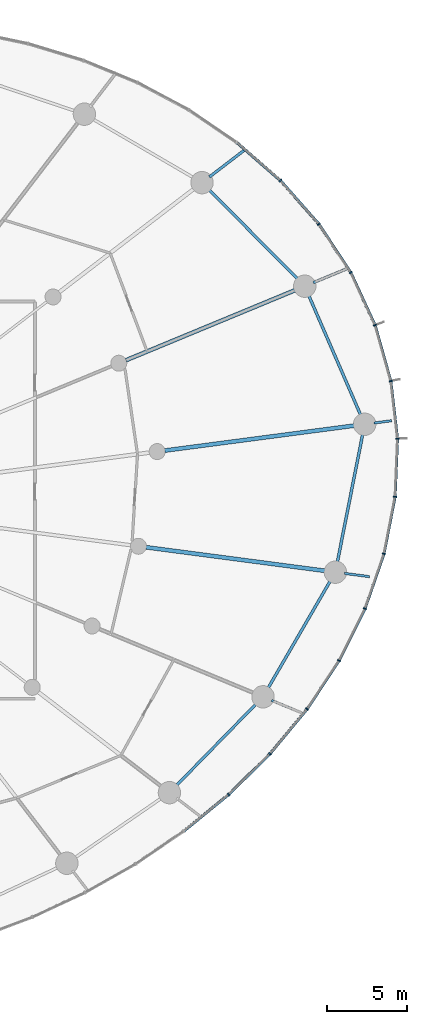
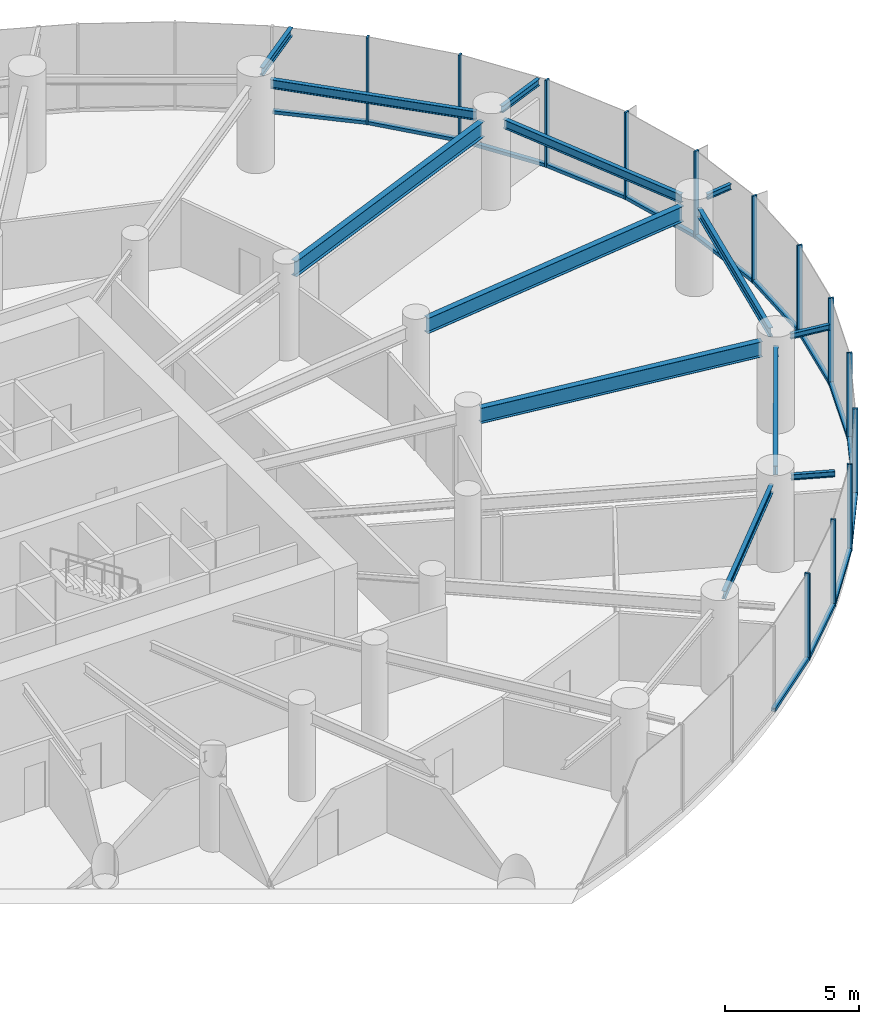
# One storey, part 8 of 19: 27 members, 13 beams, 3 elements without a shape of their own.
"""IFC4 building model written with IfcOpenShell, lengths in metres."""

from ifc_helpers import new_model, si_unit, direction, frame, origin, origin_2d, place, context, subcontext, project, spatial, rectangle, i_section, extrude, source, transform, mapped, material, layer, layer_set, material_profile, profile_set, type_object, element, aggregate, save


model = new_model("IFC4")

# Units and contexts
model_context = context("Model", 3, precision=1e-05, world=origin(), true_north=direction((0.0, 1.0)))
body_context = subcontext(model_context, "Body", "Model", "MODEL_VIEW")
ifc_project = project(units=[si_unit("LENGTHUNIT", "METRE"), si_unit("AREAUNIT", "SQUARE_METRE"), si_unit("VOLUMEUNIT", "CUBIC_METRE"), si_unit("PLANEANGLEUNIT", "RADIAN"), si_unit("MASSUNIT", "GRAM", prefix="KILO")], contexts=[model_context])

# Site, building, storey
site_placement = place(None, origin())
site = spatial("IfcSite", under=ifc_project, at=site_placement, CompositionType="ELEMENT")
building_placement = place(site_placement, origin())
building = spatial("IfcBuilding", under=site, at=building_placement, Name="Spindrift Exchange Tower", CompositionType="ELEMENT")
storey_placement = place(building_placement, frame((0.0, 0.0, 57.800048828125)))
storey = spatial("IfcBuildingStorey", under=building, at=storey_placement, Name="L13", CompositionType="ELEMENT", Elevation=57.800048828125)

# Beams
ifc_material_1 = material(Name="Steel Grade 300", Category="steel")
ifc_material_profile_1 = material_profile(ifc_material_1, i_section(OverallWidth=0.25, OverallDepth=0.699951171875, WebThickness=0.008056640625, FlangeThickness=0.011962890625, at=origin_2d()), Name="700WB115")
ifc_profile_set_1 = profile_set([ifc_material_profile_1], Name="Steel Grade 300")
beam_type_1 = type_object("IfcBeamType", Name="Floor Beam 700WB115 Steel Grade 300", PredefinedType="BEAM", material=ifc_profile_set_1)
shared_shape_1 = source(origin(), body_context, "Body", "SweptSolid", [
    extrude(i_section(OverallWidth=0.25, OverallDepth=0.699951171875, WebThickness=0.008056640625, FlangeThickness=0.011962890625, at=origin_2d()), origin(), (0.0, 0.0, 1.0), 12.00830078125),
])
beam_1_placement = place(storey_placement, frame((75.509765625, 51.09521484375, 3.599853515625), z_axis=(0.991444950947, 0.130525511844, 0.0), x_axis=(-0.130525511844, 0.991444950947, 0.0)))
element("IfcBeam", 1, at=beam_1_placement, inside=storey, type_object=beam_type_1, Name="L13 radial beam R01B", PredefinedType="BEAM", context=body_context, shape_type="MappedRepresentation", body=[
    mapped(shared_shape_1, transform((0.0, 0.0, 0.0), scale=1.0)),
])
shared_shape_2 = source(origin(), body_context, "Body", "SweptSolid", [
    extrude(i_section(OverallWidth=0.25, OverallDepth=0.699951171875, WebThickness=0.008056640625, FlangeThickness=0.011962890625, at=origin_2d()), origin(), (0.0, 0.0, 1.0), 11.505859375),
])
beam_2_placement = place(storey_placement, frame((73.082763671875, 56.73291015625, 3.599853515625), z_axis=(0.923881578419, 0.38267849307, 0.0), x_axis=(-0.38267849307, 0.923881578419, 0.0)))
element("IfcBeam", 2, at=beam_2_placement, inside=storey, type_object=beam_type_1, Name="L13 radial beam R02B", PredefinedType="BEAM", context=body_context, shape_type="MappedRepresentation", body=[
    mapped(shared_shape_2, transform((0.0, 0.0, 0.0), scale=1.0)),
])
shared_shape_3 = source(origin(), body_context, "Body", "SweptSolid", [
    extrude(i_section(OverallWidth=0.25, OverallDepth=0.699951171875, WebThickness=0.008056640625, FlangeThickness=0.011962890625, at=origin_2d()), origin(), (0.0, 0.0, 1.0), 11.34423828125),
])
beam_3_placement = place(storey_placement, frame((74.339111328125, 45.05908203125, 3.599853515625), z_axis=(0.991444770187, -0.130526884848, 0.0), x_axis=(0.130526884848, 0.991444770187, 0.0)))
element("IfcBeam", 3, at=beam_3_placement, inside=storey, type_object=beam_type_1, Name="L13 radial beam R24B", PredefinedType="BEAM", context=body_context, shape_type="MappedRepresentation", body=[
    mapped(shared_shape_3, transform((0.0, 0.0, 0.0), scale=1.0)),
])
ifc_material_profile_2 = material_profile(ifc_material_1, i_section(OverallWidth=0.177978515625, OverallDepth=0.406005859375, WebThickness=0.0078125, FlangeThickness=0.0126953125, FilletRadius=0.013916015625, at=origin_2d()), Name="410UB59.7")
ifc_profile_set_2 = profile_set([ifc_material_profile_2], Name="Steel Grade 300")
beam_type_2 = type_object("IfcBeamType", Name="Edge Beam 410UB59.7 Steel Grade 300", PredefinedType="SPANDREL", material=ifc_profile_set_2)
shared_shape_4 = source(origin(), body_context, "Body", "SweptSolid", [
    extrude(i_section(OverallWidth=0.177978515625, OverallDepth=0.406005859375, WebThickness=0.0078125, FlangeThickness=0.0126953125, FilletRadius=0.013916015625, at=origin_2d()), origin(), (0.0, 0.0, 1.0), 8.23681640625),
])
beam_4_placement = place(storey_placement, frame((87.759521484375, 53.270263671875, 3.7470703125), z_axis=(-0.398186298756, 0.91730456855, 0.0), x_axis=(-0.91730456855, -0.398186298756, 0.0)))
element("IfcBeam", 4, at=beam_4_placement, inside=storey, type_object=beam_type_2, Name="L13 edge beam E01", PredefinedType="SPANDREL", context=body_context, shape_type="MappedRepresentation", body=[
    mapped(shared_shape_4, transform((0.0, 0.0, 0.0), scale=1.0)),
])
shared_shape_5 = source(origin(), body_context, "Body", "SweptSolid", [
    extrude(i_section(OverallWidth=0.177978515625, OverallDepth=0.406005859375, WebThickness=0.0078125, FlangeThickness=0.0126953125, FilletRadius=0.013916015625, at=origin_2d()), origin(), (0.0, 0.0, 1.0), 7.947509765625),
])
beam_5_placement = place(storey_placement, frame((83.840576171875, 61.769775390625, 3.7470703125), z_axis=(-0.704197895271, 0.710003749494, 0.0), x_axis=(-0.710003749494, -0.704197895271, 0.0)))
element("IfcBeam", 5, at=beam_5_placement, inside=storey, type_object=beam_type_2, Name="L13 edge beam E02", PredefinedType="SPANDREL", context=body_context, shape_type="MappedRepresentation", body=[
    mapped(shared_shape_5, transform((0.0, 0.0, 0.0), scale=1.0)),
])
ifc_material_profile_3 = material_profile(ifc_material_1, i_section(OverallWidth=0.172119140625, OverallDepth=0.35888671875, WebThickness=0.008056640625, FlangeThickness=0.012939453125, FilletRadius=0.013916015625, at=origin_2d()), Name="360UB56.7")
ifc_profile_set_3 = profile_set([ifc_material_profile_3], Name="Steel Grade 300")
beam_type_3 = type_object("IfcBeamType", Name="Edge Beam 360UB56.7 Steel Grade 300", PredefinedType="SPANDREL", material=ifc_profile_set_3)
shared_shape_6 = source(origin(), body_context, "Body", "SweptSolid", [
    extrude(i_section(OverallWidth=0.172119140625, OverallDepth=0.35888671875, WebThickness=0.008056640625, FlangeThickness=0.012939453125, FilletRadius=0.013916015625, at=origin_2d()), origin(), (0.0, 0.0, 1.0), 7.2041015625),
])
beam_6_placement = place(storey_placement, frame((76.205810546875, 30.152099609375, 3.7705078125), z_axis=(0.698703626006, 0.715411240481, 0.0), x_axis=(-0.715411240481, 0.698703626006, 0.0)))
element("IfcBeam", 6, at=beam_6_placement, inside=storey, type_object=beam_type_3, Name="L13 edge beam E22", PredefinedType="SPANDREL", context=body_context, shape_type="MappedRepresentation", body=[
    mapped(shared_shape_6, transform((0.0, 0.0, 0.0), scale=1.0)),
])
shared_shape_7 = source(origin(), body_context, "Body", "SweptSolid", [
    extrude(i_section(OverallWidth=0.177978515625, OverallDepth=0.406005859375, WebThickness=0.0078125, FlangeThickness=0.0126953125, FilletRadius=0.013916015625, at=origin_2d()), origin(), (0.0, 0.0, 1.0), 7.837646484375),
])
beam_7_placement = place(storey_placement, frame((81.935791015625, 36.222412109375, 3.7470703125), z_axis=(0.50198145655, 0.864878382942, 0.0), x_axis=(-0.864878382942, 0.50198145655, 0.0)))
element("IfcBeam", 7, at=beam_7_placement, inside=storey, type_object=beam_type_2, Name="L13 edge beam E23", PredefinedType="SPANDREL", context=body_context, shape_type="MappedRepresentation", body=[
    mapped(shared_shape_7, transform((0.0, 0.0, 0.0), scale=1.0)),
])
shared_shape_8 = source(origin(), body_context, "Body", "SweptSolid", [
    extrude(i_section(OverallWidth=0.177978515625, OverallDepth=0.406005859375, WebThickness=0.0078125, FlangeThickness=0.0126953125, FilletRadius=0.013916015625, at=origin_2d()), origin(), (0.0, 0.0, 1.0), 8.2548828125),
])
beam_8_placement = place(storey_placement, frame((86.27392578125, 44.071533203125, 3.7470703125), z_axis=(0.194278723288, 0.9809463684, 0.0), x_axis=(-0.9809463684, 0.194278723288, 0.0)))
element("IfcBeam", 8, at=beam_8_placement, inside=storey, type_object=beam_type_2, Name="L13 edge beam E24", PredefinedType="SPANDREL", context=body_context, shape_type="MappedRepresentation", body=[
    mapped(shared_shape_8, transform((0.0, 0.0, 0.0), scale=1.0)),
])
ifc_material_profile_4 = material_profile(ifc_material_1, i_section(OverallWidth=0.14599609375, OverallDepth=0.251953125, WebThickness=0.006103515625, FlangeThickness=0.008544921875, FilletRadius=0.011962890625, at=origin_2d()), Name="250UB31.4")
ifc_profile_set_4 = profile_set([ifc_material_profile_4], Name="Steel Grade 300")
beam_type_4 = type_object("IfcBeamType", Name="Cantilever Beam 250UB31.4 Steel Grade 300", PredefinedType="BEAM", material=ifc_profile_set_4)
shared_shape_9 = source(origin(), body_context, "Body", "SweptSolid", [
    extrude(i_section(OverallWidth=0.14599609375, OverallDepth=0.251953125, WebThickness=0.006103515625, FlangeThickness=0.008544921875, FilletRadius=0.011962890625, at=origin_2d()), origin(), (0.0, 0.0, 1.0), 1.119140625),
])
beam_9_placement = place(storey_placement, frame((88.5654296875, 52.81396484375, 3.823974609375), z_axis=(0.991455038011, 0.130448869688, 0.0), x_axis=(-0.130448869688, 0.991455038011, 0.0)))
element("IfcBeam", 9, at=beam_9_placement, inside=storey, type_object=beam_type_4, Name="L13 cantilever beam R01T", PredefinedType="BEAM", context=body_context, shape_type="MappedRepresentation", body=[
    mapped(shared_shape_9, transform((0.0, 0.0, 0.0), scale=1.0)),
])
ifc_material_profile_5 = material_profile(ifc_material_1, i_section(OverallWidth=0.1650390625, OverallDepth=0.303955078125, WebThickness=0.006103515625, FlangeThickness=0.01025390625, FilletRadius=0.011474609375, at=origin_2d()), Name="310UB40.4")
ifc_profile_set_5 = profile_set([ifc_material_profile_5], Name="Steel Grade 300")
beam_type_5 = type_object("IfcBeamType", Name="Cantilever Beam 310UB40.4 Steel Grade 300", PredefinedType="BEAM", material=ifc_profile_set_5)
shared_shape_10 = source(origin(), body_context, "Body", "SweptSolid", [
    extrude(i_section(OverallWidth=0.1650390625, OverallDepth=0.303955078125, WebThickness=0.006103515625, FlangeThickness=0.01025390625, FilletRadius=0.011474609375, at=origin_2d()), origin(), (0.0, 0.0, 1.0), 2.27392578125),
])
beam_10_placement = place(storey_placement, frame((84.78466796875, 61.579833984375, 3.7978515625), z_axis=(0.92385325194, 0.382746873116, 0.0), x_axis=(-0.382746873116, 0.92385325194, 0.0)))
element("IfcBeam", 10, at=beam_10_placement, inside=storey, type_object=beam_type_5, Name="L13 cantilever beam R02T", PredefinedType="BEAM", context=body_context, shape_type="MappedRepresentation", body=[
    mapped(shared_shape_10, transform((0.0, 0.0, 0.0), scale=1.0)),
])
ifc_material_profile_6 = material_profile(ifc_material_1, i_section(OverallWidth=0.172119140625, OverallDepth=0.35888671875, WebThickness=0.008056640625, FlangeThickness=0.012939453125, FilletRadius=0.013916015625, at=origin_2d()), Name="360UB56.7")
ifc_profile_set_6 = profile_set([ifc_material_profile_6], Name="Steel Grade 300")
beam_type_6 = type_object("IfcBeamType", Name="Cantilever Beam 360UB56.7 Steel Grade 300", PredefinedType="BEAM", material=ifc_profile_set_6)
shared_shape_11 = source(origin(), body_context, "Body", "SweptSolid", [
    extrude(i_section(OverallWidth=0.172119140625, OverallDepth=0.35888671875, WebThickness=0.008056640625, FlangeThickness=0.012939453125, FilletRadius=0.013916015625, at=origin_2d()), origin(), (0.0, 0.0, 1.0), 2.87646484375),
])
beam_11_placement = place(storey_placement, frame((78.295654296875, 68.177490234375, 3.7705078125), z_axis=(0.79336175846, 0.60875045808, 0.0), x_axis=(-0.60875045808, 0.79336175846, 0.0)))
element("IfcBeam", 11, at=beam_11_placement, inside=storey, type_object=beam_type_6, Name="L13 cantilever beam R03T", PredefinedType="BEAM", context=body_context, shape_type="MappedRepresentation", body=[
    mapped(shared_shape_11, transform((0.0, 0.0, 0.0), scale=1.0)),
])
shared_shape_12 = source(origin(), body_context, "Body", "SweptSolid", [
    extrude(i_section(OverallWidth=0.14599609375, OverallDepth=0.251953125, WebThickness=0.006103515625, FlangeThickness=0.008544921875, FilletRadius=0.011962890625, at=origin_2d()), origin(), (0.0, 0.0, 1.0), 1.65185546875),
])
beam_12_placement = place(storey_placement, frame((82.180419921875, 35.498779296875, 3.823974609375), z_axis=(0.923892542317, -0.382652022406, 0.0), x_axis=(0.382652022406, 0.923892542317, 0.0)))
element("IfcBeam", 12, at=beam_12_placement, inside=storey, type_object=beam_type_4, Name="L13 cantilever beam R23T", PredefinedType="BEAM", context=body_context, shape_type="MappedRepresentation", body=[
    mapped(shared_shape_12, transform((0.0, 0.0, 0.0), scale=1.0)),
])
shared_shape_13 = source(origin(), body_context, "Body", "SweptSolid", [
    extrude(i_section(OverallWidth=0.14599609375, OverallDepth=0.251953125, WebThickness=0.006103515625, FlangeThickness=0.008544921875, FilletRadius=0.011962890625, at=origin_2d()), origin(), (0.0, 0.0, 1.0), 1.5634765625),
])
beam_13_placement = place(storey_placement, frame((86.736083984375, 43.427001953125, 3.823974609375), z_axis=(0.991442066494, -0.130547419686, 0.0), x_axis=(0.130547419686, 0.991442066494, 0.0)))
element("IfcBeam", 13, at=beam_13_placement, inside=storey, type_object=beam_type_4, Name="L13 cantilever beam R24T", PredefinedType="BEAM", context=body_context, shape_type="MappedRepresentation", body=[
    mapped(shared_shape_13, transform((0.0, 0.0, 0.0), scale=1.0)),
])

# Curtain wall, members
ifc_material_2 = material(Name="Fritted laminated glass with bronze frame", Category="glass")
ifc_layer = layer(ifc_material_2, 0.199951171875)
ifc_layer_set = layer_set([ifc_layer], Name="ZONE 1 BRONZE FRITTED WALL")
curtain_wall_type = type_object("IfcCurtainWallType", Name="ZONE 1 BRONZE FRITTED WALL", PredefinedType="NOTDEFINED", material=ifc_layer_set)
curtain_wall_1_placement = place(storey_placement, origin())
curtain_wall_1 = element("IfcCurtainWall", 14, at=curtain_wall_1_placement, inside=storey, type_object=curtain_wall_type, Name="L13 Zone 1 Bronze Fritted Wall run 1", PredefinedType="NOTDEFINED")
ifc_material_3 = material(Name="Bronze anodised aluminium", Category="aluminium")
ifc_material_profile_7 = material_profile(ifc_material_3, rectangle(XDim=0.080078125, YDim=0.199951171875, at=origin_2d()), Name="ZONE 1 BRONZE FRITTED WALL MULLION 80X200")
ifc_profile_set_7 = profile_set([ifc_material_profile_7], Name="Bronze anodised aluminium")
member_type_1 = type_object("IfcMemberType", Name="ZONE 1 BRONZE FRITTED WALL MULLION 80X200", PredefinedType="MULLION", material=ifc_profile_set_7)
shared_shape_14 = source(origin(), body_context, "Body", "SweptSolid", [
    extrude(rectangle(XDim=0.080078125, YDim=0.199951171875, at=origin_2d()), origin(), (0.0, 0.0, 1.0), 3.949951171875),
])
member_1_placement = place(storey_placement, frame((89.622802734375, 55.432861328125, 0.0), z_axis=(0.0, 0.0, 1.0), x_axis=(-0.19381965162, 0.981037176995, 0.0)))
member_1 = element("IfcMember", 15, at=member_1_placement, type_object=member_type_1, Name="L13 mullion CW-1.1", PredefinedType="MULLION", context=body_context, shape_type="MappedRepresentation", body=[
    mapped(shared_shape_14, transform((0.0, 0.0, 0.0), scale=1.0)),
])
member_2_placement = place(storey_placement, frame((88.639404296875, 58.92138671875, 0.0), z_axis=(0.0, 0.0, 1.0), x_axis=(-0.346024096054, 0.938225625822, 0.0)))
member_2 = element("IfcMember", 16, at=member_2_placement, type_object=member_type_1, Name="L13 mullion CW-1.2", PredefinedType="MULLION", context=body_context, shape_type="MappedRepresentation", body=[
    mapped(shared_shape_14, transform((0.0, 0.0, 0.0), scale=1.0)),
])
member_3_placement = place(storey_placement, frame((87.122314453125, 62.213134765625, 0.0), z_axis=(0.0, 0.0, 1.0), x_axis=(-0.485620548731, 0.87416971044, 0.0)))
member_3 = element("IfcMember", 17, at=member_3_placement, type_object=member_type_1, Name="L13 mullion CW-1.3", PredefinedType="MULLION", context=body_context, shape_type="MappedRepresentation", body=[
    mapped(shared_shape_14, transform((0.0, 0.0, 0.0), scale=1.0)),
])
member_4_placement = place(storey_placement, frame((85.128662109375, 65.24072265625, 0.0), z_axis=(0.0, 0.0, 1.0), x_axis=(-0.607375336585, 0.794415005214, 0.0)))
member_4 = element("IfcMember", 18, at=member_4_placement, type_object=member_type_1, Name="L13 mullion CW-1.4", PredefinedType="MULLION", context=body_context, shape_type="MappedRepresentation", body=[
    mapped(shared_shape_14, transform((0.0, 0.0, 0.0), scale=1.0)),
])
member_5_placement = place(storey_placement, frame((82.7294921875, 67.95849609375, 0.0), z_axis=(0.0, 0.0, 1.0), x_axis=(-0.70913950313, 0.7050681989, 0.0)))
member_5 = element("IfcMember", 19, at=member_5_placement, type_object=member_type_1, Name="L13 mullion CW-1.5", PredefinedType="MULLION", context=body_context, shape_type="MappedRepresentation", body=[
    mapped(shared_shape_14, transform((0.0, 0.0, 0.0), scale=1.0)),
])

curtain_wall_2_placement = place(storey_placement, origin())
curtain_wall_2 = element("IfcCurtainWall", 20, at=curtain_wall_2_placement, inside=storey, type_object=curtain_wall_type, Name="L13 Zone 1 Bronze Fritted Wall run 9", PredefinedType="NOTDEFINED")
member_6_placement = place(storey_placement, frame((79.497802734375, 29.616943359375, 0.0), z_axis=(0.0, 0.0, 1.0), x_axis=(0.744228462195, 0.667925142556, 0.0)))
member_6 = element("IfcMember", 21, at=member_6_placement, type_object=member_type_1, Name="L13 mullion CW-1.52", PredefinedType="MULLION", context=body_context, shape_type="MappedRepresentation", body=[
    mapped(shared_shape_14, transform((0.0, 0.0, 0.0), scale=1.0)),
])
member_7_placement = place(storey_placement, frame((82.0810546875, 32.16259765625, 0.0), z_axis=(0.0, 0.0, 1.0), x_axis=(0.676033549521, 0.736870843447, 0.0)))
member_7 = element("IfcMember", 22, at=member_7_placement, type_object=member_type_1, Name="L13 mullion CW-1.53", PredefinedType="MULLION", context=body_context, shape_type="MappedRepresentation", body=[
    mapped(shared_shape_14, transform((0.0, 0.0, 0.0), scale=1.0)),
])
member_8_placement = place(storey_placement, frame((84.395263671875, 34.955078125, 0.0), z_axis=(0.0, 0.0, 1.0), x_axis=(0.595044239978, 0.803692946634, 0.0)))
member_8 = element("IfcMember", 23, at=member_8_placement, type_object=member_type_1, Name="L13 mullion CW-1.54", PredefinedType="MULLION", context=body_context, shape_type="MappedRepresentation", body=[
    mapped(shared_shape_14, transform((0.0, 0.0, 0.0), scale=1.0)),
])

curtain_wall_3_placement = place(storey_placement, origin())
curtain_wall_3 = element("IfcCurtainWall", 24, at=curtain_wall_3_placement, inside=storey, type_object=curtain_wall_type, Name="L13 Zone 1 Bronze Fritted Wall run 10", PredefinedType="NOTDEFINED")
member_9_placement = place(storey_placement, frame((86.390380859375, 37.98291015625, 0.0), z_axis=(0.0, 0.0, 1.0), x_axis=(0.499420135788, 0.866359929804, 0.0)))
member_9 = element("IfcMember", 25, at=member_9_placement, type_object=member_type_1, Name="L13 mullion CW-1.55", PredefinedType="MULLION", context=body_context, shape_type="MappedRepresentation", body=[
    mapped(shared_shape_14, transform((0.0, 0.0, 0.0), scale=1.0)),
])
member_10_placement = place(storey_placement, frame((88.010498046875, 41.226806640625, 0.0), z_axis=(0.0, 0.0, 1.0), x_axis=(0.387739784004, 0.921768875533, 0.0)))
member_10 = element("IfcMember", 26, at=member_10_placement, type_object=member_type_1, Name="L13 mullion CW-1.56", PredefinedType="MULLION", context=body_context, shape_type="MappedRepresentation", body=[
    mapped(shared_shape_14, transform((0.0, 0.0, 0.0), scale=1.0)),
])
member_11_placement = place(storey_placement, frame((89.196044921875, 44.65283203125, 0.0), z_axis=(0.0, 0.0, 1.0), x_axis=(0.259643919999, 0.965704424142, 0.0)))
member_11 = element("IfcMember", 27, at=member_11_placement, type_object=member_type_1, Name="L13 mullion CW-1.57", PredefinedType="MULLION", context=body_context, shape_type="MappedRepresentation", body=[
    mapped(shared_shape_14, transform((0.0, 0.0, 0.0), scale=1.0)),
])
member_12_placement = place(storey_placement, frame((89.888427734375, 48.211181640625, 0.0), z_axis=(0.0, 0.0, 1.0), x_axis=(0.116706469186, 0.993166451331, 0.0)))
member_12 = element("IfcMember", 28, at=member_12_placement, type_object=member_type_1, Name="L13 mullion CW-1.58", PredefinedType="MULLION", context=body_context, shape_type="MappedRepresentation", body=[
    mapped(shared_shape_14, transform((0.0, 0.0, 0.0), scale=1.0)),
])
member_13_placement = place(storey_placement, frame((90.039794921875, 51.83251953125, 0.0), z_axis=(0.0, 0.0, 1.0), x_axis=(-0.036767494828, 0.999323847071, 0.0)))
member_13 = element("IfcMember", 29, at=member_13_placement, type_object=member_type_1, Name="L13 mullion CW-1.59", PredefinedType="MULLION", context=body_context, shape_type="MappedRepresentation", body=[
    mapped(shared_shape_14, transform((0.0, 0.0, 0.0), scale=1.0)),
])

# Member
ifc_material_profile_8 = material_profile(ifc_material_3, rectangle(XDim=0.179931640625, YDim=0.14990234375, at=origin_2d()), Name="ZONE 1 BRONZE FRITTED WALL TRANSOM 180X150")
ifc_profile_set_8 = profile_set([ifc_material_profile_8], Name="Bronze anodised aluminium")
member_type_2 = type_object("IfcMemberType", Name="ZONE 1 BRONZE FRITTED WALL TRANSOM 180X150", PredefinedType="USERDEFINED", material=ifc_profile_set_8)
shared_shape_15 = source(origin(), body_context, "Body", "SweptSolid", [
    extrude(rectangle(XDim=0.179931640625, YDim=0.14990234375, at=origin_2d()), origin(), (0.0, 0.0, 1.0), 3.54443359375),
])
member_14_placement = place(storey_placement, frame((89.612060546875, 55.471435546875, 0.074951171875), z_axis=(-0.271389815409, 0.962469515409, 0.0), x_axis=(-0.962469515409, -0.271389815409, 0.0)))
member_14 = element("IfcMember", 30, at=member_14_placement, type_object=member_type_2, Name="L13 transom CW-1.1", ObjectType="TRANSOM", PredefinedType="USERDEFINED", context=body_context, shape_type="MappedRepresentation", body=[
    mapped(shared_shape_15, transform((0.0, 0.0, 0.0), scale=1.0)),
])

shared_shape_16 = source(origin(), body_context, "Body", "SweptSolid", [
    extrude(rectangle(XDim=0.179931640625, YDim=0.14990234375, at=origin_2d()), origin(), (0.0, 0.0, 1.0), 3.544921875),
])
member_15_placement = place(storey_placement, frame((87.10009765625, 62.24658203125, 0.074951171875), z_axis=(-0.549939014855, 0.835204813169, 0.0), x_axis=(-0.835204813169, -0.549939014855, 0.0)))
member_15 = element("IfcMember", 31, at=member_15_placement, type_object=member_type_2, Name="L13 transom CW-1.3", ObjectType="TRANSOM", PredefinedType="USERDEFINED", context=body_context, shape_type="MappedRepresentation", body=[
    mapped(shared_shape_16, transform((0.0, 0.0, 0.0), scale=1.0)),
])

member_16_placement = place(storey_placement, frame((89.203857421875, 44.692138671875, 0.074951171875), z_axis=(0.190974728583, 0.981594953656, 0.0), x_axis=(-0.981594953656, 0.190974728583, 0.0)))
member_16 = element("IfcMember", 32, at=member_16_placement, type_object=member_type_2, Name="L13 transom CW-1.57", ObjectType="TRANSOM", PredefinedType="USERDEFINED", context=body_context, shape_type="MappedRepresentation", body=[
    mapped(shared_shape_16, transform((0.0, 0.0, 0.0), scale=1.0)),
])

shared_shape_17 = source(origin(), body_context, "Body", "SweptSolid", [
    extrude(rectangle(XDim=0.179931640625, YDim=0.14990234375, at=origin_2d()), origin(), (0.0, 0.0, 1.0), 3.546875),
])
member_17_placement = place(storey_placement, frame((76.719482421875, 27.348388671875, 0.074951171875), z_axis=(0.774564162453, 0.632495342467, 0.0), x_axis=(-0.632495342467, 0.774564162453, 0.0)))
member_17 = element("IfcMember", 33, at=member_17_placement, type_object=member_type_2, Name="L13 transom CW-1.51", ObjectType="TRANSOM", PredefinedType="USERDEFINED", context=body_context, shape_type="MappedRepresentation", body=[
    mapped(shared_shape_17, transform((0.0, 0.0, 0.0), scale=1.0)),
])

shared_shape_18 = source(origin(), body_context, "Body", "SweptSolid", [
    extrude(rectangle(XDim=0.179931640625, YDim=0.14990234375, at=origin_2d()), origin(), (0.0, 0.0, 1.0), 3.54638671875),
])
member_18_placement = place(storey_placement, frame((82.106689453125, 32.193603515625, 0.074951171875), z_axis=(0.638076173503, 0.769973244215, 0.0), x_axis=(-0.769973244215, 0.638076173503, 0.0)))
member_18 = element("IfcMember", 34, at=member_18_placement, type_object=member_type_2, Name="L13 transom CW-1.53", ObjectType="TRANSOM", PredefinedType="USERDEFINED", context=body_context, shape_type="MappedRepresentation", body=[
    mapped(shared_shape_18, transform((0.0, 0.0, 0.0), scale=1.0)),
])

member_19_placement = place(storey_placement, frame((84.417236328125, 34.98828125, 0.074951171875), z_axis=(0.550180283301, 0.835045900455, 0.0), x_axis=(-0.835045900455, 0.550180283301, 0.0)))
member_19 = element("IfcMember", 35, at=member_19_placement, type_object=member_type_2, Name="L13 transom CW-1.54", ObjectType="TRANSOM", PredefinedType="USERDEFINED", context=body_context, shape_type="MappedRepresentation", body=[
    mapped(shared_shape_18, transform((0.0, 0.0, 0.0), scale=1.0)),
])

shared_shape_19 = source(origin(), body_context, "Body", "SweptSolid", [
    extrude(rectangle(XDim=0.179931640625, YDim=0.14990234375, at=origin_2d()), origin(), (0.0, 0.0, 1.0), 3.546630859375),
])
member_20_placement = place(storey_placement, frame((79.5263671875, 29.64501953125, 0.074951171875), z_axis=(0.712250667005, 0.701925200681, 0.0), x_axis=(-0.701925200681, 0.712250667005, 0.0)))
member_20 = element("IfcMember", 36, at=member_20_placement, type_object=member_type_2, Name="L13 transom CW-1.52", ObjectType="TRANSOM", PredefinedType="USERDEFINED", context=body_context, shape_type="MappedRepresentation", body=[
    mapped(shared_shape_19, transform((0.0, 0.0, 0.0), scale=1.0)),
])

aggregate(curtain_wall_2, [member_17, member_6, member_20, member_7, member_18, member_8, member_19])

shared_shape_20 = source(origin(), body_context, "Body", "SweptSolid", [
    extrude(rectangle(XDim=0.179931640625, YDim=0.14990234375, at=origin_2d()), origin(), (0.0, 0.0, 1.0), 3.5458984375),
])
member_21_placement = place(storey_placement, frame((82.69921875, 67.98486328125, 0.074951171875), z_axis=(-0.753467448936, 0.65748521154, 0.0), x_axis=(-0.65748521154, -0.753467448936, 0.0)))
member_21 = element("IfcMember", 37, at=member_21_placement, type_object=member_type_2, Name="L13 transom CW-1.5", ObjectType="TRANSOM", PredefinedType="USERDEFINED", context=body_context, shape_type="MappedRepresentation", body=[
    mapped(shared_shape_20, transform((0.0, 0.0, 0.0), scale=1.0)),
])

member_22_placement = place(storey_placement, frame((86.408203125, 38.018798828125, 0.074951171875), z_axis=(0.446855524427, 0.894606136961, 0.0), x_axis=(-0.894606136961, 0.446855524427, 0.0)))
member_22 = element("IfcMember", 38, at=member_22_placement, type_object=member_type_2, Name="L13 transom CW-1.55", ObjectType="TRANSOM", PredefinedType="USERDEFINED", context=body_context, shape_type="MappedRepresentation", body=[
    mapped(shared_shape_20, transform((0.0, 0.0, 0.0), scale=1.0)),
])

shared_shape_21 = source(origin(), body_context, "Body", "SweptSolid", [
    extrude(rectangle(XDim=0.179931640625, YDim=0.14990234375, at=origin_2d()), origin(), (0.0, 0.0, 1.0), 3.544189453125),
])
member_23_placement = place(storey_placement, frame((90.03515625, 51.872314453125, 0.074951171875), z_axis=(-0.115034580439, 0.993361487729, 0.0), x_axis=(-0.993361487729, -0.115034580439, 0.0)))
member_23 = element("IfcMember", 39, at=member_23_placement, type_object=member_type_2, Name="L13 transom CW-1.59", ObjectType="TRANSOM", PredefinedType="USERDEFINED", context=body_context, shape_type="MappedRepresentation", body=[
    mapped(shared_shape_21, transform((0.0, 0.0, 0.0), scale=1.0)),
])

shared_shape_22 = source(origin(), body_context, "Body", "SweptSolid", [
    extrude(rectangle(XDim=0.179931640625, YDim=0.14990234375, at=origin_2d()), origin(), (0.0, 0.0, 1.0), 3.544677734375),
])
member_24_placement = place(storey_placement, frame((88.62255859375, 58.95751953125, 0.074951171875), z_axis=(-0.41855582686, 0.908191070096, 0.0), x_axis=(-0.908191070096, -0.41855582686, 0.0)))
member_24 = element("IfcMember", 40, at=member_24_placement, type_object=member_type_2, Name="L13 transom CW-1.2", ObjectType="TRANSOM", PredefinedType="USERDEFINED", context=body_context, shape_type="MappedRepresentation", body=[
    mapped(shared_shape_22, transform((0.0, 0.0, 0.0), scale=1.0)),
])

member_25_placement = place(storey_placement, frame((89.89013671875, 48.2509765625, 0.074951171875), z_axis=(0.041739410577, 0.999128531073, 0.0), x_axis=(-0.999128531073, 0.041739410577, 0.0)))
member_25 = element("IfcMember", 41, at=member_25_placement, type_object=member_type_2, Name="L13 transom CW-1.58", ObjectType="TRANSOM", PredefinedType="USERDEFINED", context=body_context, shape_type="MappedRepresentation", body=[
    mapped(shared_shape_22, transform((0.0, 0.0, 0.0), scale=1.0)),
])

shared_shape_23 = source(origin(), body_context, "Body", "SweptSolid", [
    extrude(rectangle(XDim=0.179931640625, YDim=0.14990234375, at=origin_2d()), origin(), (0.0, 0.0, 1.0), 3.54541015625),
])
member_26_placement = place(storey_placement, frame((85.102294921875, 65.270751953125, 0.074951171875), z_axis=(-0.661808367737, 0.749673051665, 0.0), x_axis=(-0.749673051665, -0.661808367737, 0.0)))
member_26 = element("IfcMember", 42, at=member_26_placement, type_object=member_type_2, Name="L13 transom CW-1.4", ObjectType="TRANSOM", PredefinedType="USERDEFINED", context=body_context, shape_type="MappedRepresentation", body=[
    mapped(shared_shape_23, transform((0.0, 0.0, 0.0), scale=1.0)),
])

aggregate(curtain_wall_1, [member_1, member_14, member_2, member_24, member_3, member_15, member_4, member_26, member_5, member_21])

member_27_placement = place(storey_placement, frame((88.023681640625, 41.264404296875, 0.074951171875), z_axis=(0.327011230516, 0.945020452221, 0.0), x_axis=(-0.945020452221, 0.327011230516, 0.0)))
member_27 = element("IfcMember", 43, at=member_27_placement, type_object=member_type_2, Name="L13 transom CW-1.56", ObjectType="TRANSOM", PredefinedType="USERDEFINED", context=body_context, shape_type="MappedRepresentation", body=[
    mapped(shared_shape_23, transform((0.0, 0.0, 0.0), scale=1.0)),
])

aggregate(curtain_wall_3, [member_9, member_22, member_10, member_27, member_11, member_16, member_12, member_25, member_13, member_23])

save(model, "model.ifc")
